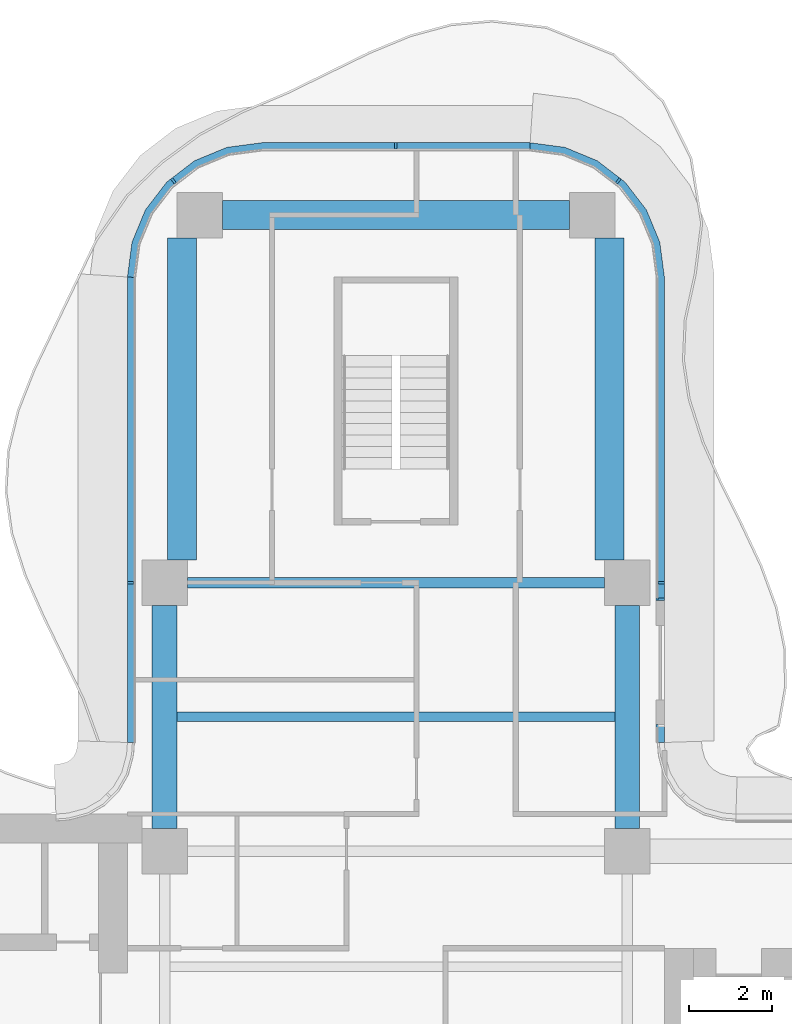
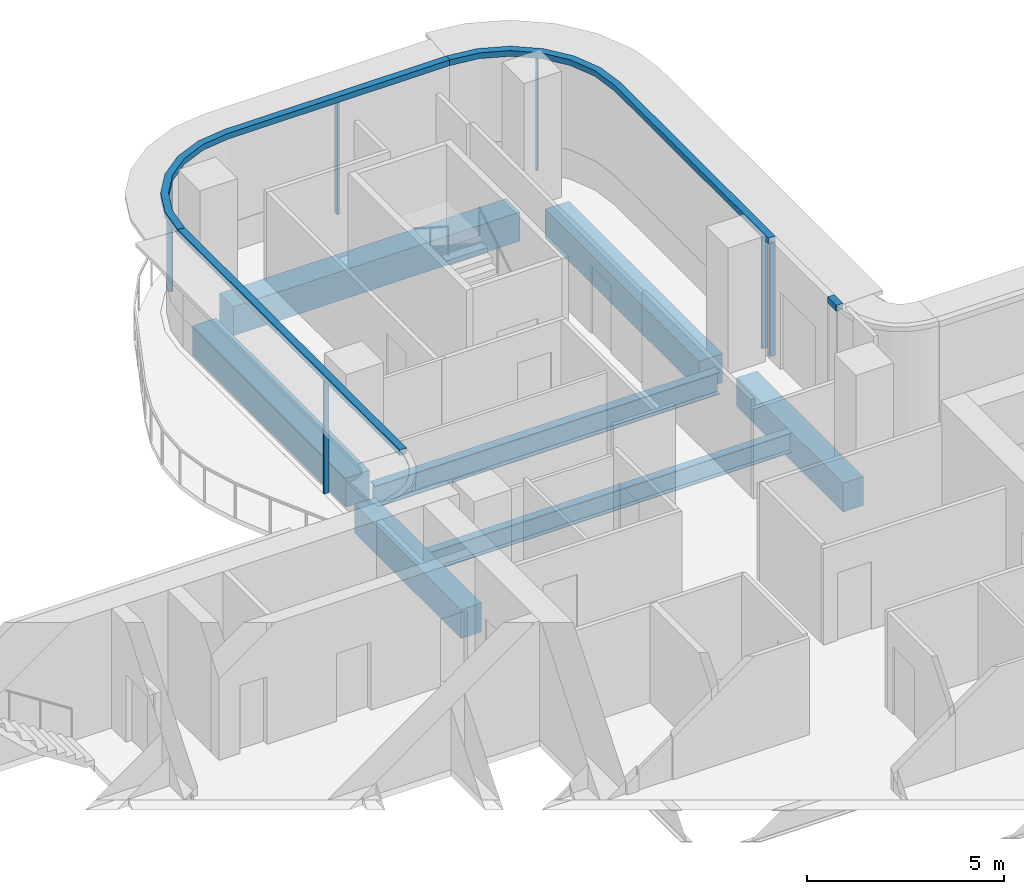
# One storey, part 7 of 17: 10 members, 7 beams, 4 elements without a shape of their own.
"""IFC4 building model written with IfcOpenShell, lengths in metres."""

from ifc_helpers import new_model, si_unit, direction, frame, origin, origin_2d, place, context, subcontext, project, spatial, polyline, rectangle, i_section, outline, extrude, source, transform, mapped, material, layer, layer_set, material_profile, profile_set, type_object, element, aggregate, save


model = new_model("IFC4")

# Units and contexts
model_context = context("Model", 3, precision=1e-05, world=origin(), true_north=direction((0.0, 1.0)))
body_context = subcontext(model_context, "Body", "Model", "MODEL_VIEW")
ifc_project = project(units=[si_unit("LENGTHUNIT", "METRE"), si_unit("AREAUNIT", "SQUARE_METRE"), si_unit("VOLUMEUNIT", "CUBIC_METRE"), si_unit("PLANEANGLEUNIT", "RADIAN"), si_unit("MASSUNIT", "GRAM", prefix="KILO")], contexts=[model_context])

# Site, building, storey
site_placement = place(None, origin())
site = spatial("IfcSite", under=ifc_project, at=site_placement, CompositionType="ELEMENT")
building_placement = place(site_placement, origin())
building = spatial("IfcBuilding", under=site, at=building_placement, Name="Trellis Farm Tower", CompositionType="ELEMENT")
storey_placement = place(building_placement, frame((0.0, 0.0, 259.699951171875)))
storey = spatial("IfcBuildingStorey", under=building, at=storey_placement, Name="L58", CompositionType="ELEMENT", Elevation=259.699951171875)

# Beams
ifc_material_1 = material(Name="Steel S355", Category="steel")
ifc_material_profile_1 = material_profile(ifc_material_1, i_section(OverallWidth=0.22900390625, OverallDepth=0.6123046875, WebThickness=0.011962890625, FlangeThickness=0.01953125, FilletRadius=0.0126953125, at=origin_2d()), Name="UB 610x229x125")
ifc_profile_set_1 = profile_set([ifc_material_profile_1], Name="Steel S355")
beam_type_1 = type_object("IfcBeamType", Name="UB 610x229x125 joist", PredefinedType="JOIST", material=ifc_profile_set_1)
shared_shape_1 = source(origin(), body_context, "Body", "SweptSolid", [
    extrude(i_section(OverallWidth=0.22900390625, OverallDepth=0.6123046875, WebThickness=0.011962890625, FlangeThickness=0.01953125, FilletRadius=0.0126953125, at=origin_2d()), origin(), (0.0, 0.0, 1.0), 10.60009765625),
])
beam_1_placement = place(storey_placement, frame((-5.300048828125, 8.85009765625, -0.506103515625), z_axis=(1.0, 0.0, 0.0), x_axis=(0.0, 1.0, 0.0)))
element("IfcBeam", 1, at=beam_1_placement, inside=storey, type_object=beam_type_1, Name="Floor beam", PredefinedType="JOIST", context=body_context, shape_type="MappedRepresentation", body=[
    mapped(shared_shape_1, transform((0.0, 0.0, 0.0))),
])
ifc_material_profile_2 = material_profile(ifc_material_1, i_section(OverallWidth=0.253662109375, OverallDepth=0.68359375, WebThickness=0.012451171875, FlangeThickness=0.021728515625, FilletRadius=0.01513671875, at=origin_2d()), Name="UB 686x254x140")
ifc_profile_set_2 = profile_set([ifc_material_profile_2], Name="Steel S355")
beam_type_2 = type_object("IfcBeamType", Name="UB 686x254x140", PredefinedType="BEAM", material=ifc_profile_set_2)
shared_shape_2 = source(origin(), body_context, "Body", "SweptSolid", [
    extrude(i_section(OverallWidth=0.253662109375, OverallDepth=0.68359375, WebThickness=0.012451171875, FlangeThickness=0.021728515625, FilletRadius=0.01513671875, at=origin_2d()), origin(), (0.0, 0.0, 1.0), 10.10009765625),
])
beam_2_placement = place(storey_placement, frame((-5.050048828125, 12.10009765625, -0.541748046875), z_axis=(1.0, 0.0, 0.0), x_axis=(0.0, 1.0, 0.0)))
element("IfcBeam", 2, at=beam_2_placement, inside=storey, type_object=beam_type_2, Name="Girder", PredefinedType="BEAM", context=body_context, shape_type="MappedRepresentation", body=[
    mapped(shared_shape_2, transform((0.0, 0.0, 0.0))),
])
ifc_material_2 = material(Name="Concrete C60/75", Category="concrete")
ifc_material_profile_3 = material_profile(ifc_material_2, rectangle(XDim=0.60009765625, YDim=0.89990234375, at=origin_2d()), Name="RC spandrel beam 600x900 C60/75")
ifc_profile_set_3 = profile_set([ifc_material_profile_3], Name="Concrete C60/75")
beam_type_3 = type_object("IfcBeamType", Name="RC spandrel beam 600x900 C60/75", PredefinedType="SPANDREL", material=ifc_profile_set_3)
shared_shape_3 = source(origin(), body_context, "Body", "SweptSolid", [
    extrude(rectangle(XDim=0.60009765625, YDim=0.89990234375, at=origin_2d()), origin(), (0.0, 0.0, 1.0), 5.400146484375),
])
for number, where, z_axis, x_axis, name in (
    (3, (-5.60009765625, 6.14990234375, -0.64990234375), (0.0, 1.0, 0.0), (-1.0, 0.0, 0.0), "Girder"),
    (4, (5.60009765625, 6.14990234375, -0.64990234375), (0.0, 1.0, 0.0), (-1.0, 0.0, 0.0), "Girder"),
):
    element("IfcBeam", number, at=place(storey_placement, frame(where, z_axis=z_axis, x_axis=x_axis)), inside=storey, type_object=beam_type_3, Name=name, PredefinedType="SPANDREL", context=body_context, shape_type="MappedRepresentation", body=[
        mapped(shared_shape_3, transform((0.0, 0.0, 0.0))),
    ])
ifc_material_profile_4 = material_profile(ifc_material_2, rectangle(XDim=0.699951171875, YDim=0.89990234375, at=origin_2d()), Name="RC spandrel beam 700x900 C60/75")
ifc_profile_set_4 = profile_set([ifc_material_profile_4], Name="Concrete C60/75")
beam_type_4 = type_object("IfcBeamType", Name="RC spandrel beam 700x900 C60/75", PredefinedType="SPANDREL", material=ifc_profile_set_4)
shared_shape_4 = source(origin(), body_context, "Body", "SweptSolid", [
    extrude(rectangle(XDim=0.699951171875, YDim=0.89990234375, at=origin_2d()), origin(), (0.0, 0.0, 1.0), 8.39990234375),
])
beam_3_placement = place(storey_placement, frame((-4.199951171875, 21.0, -0.64990234375), z_axis=(1.0, 0.0, 0.0), x_axis=(0.0, 1.0, 0.0)))
element("IfcBeam", 5, at=beam_3_placement, inside=storey, type_object=beam_type_4, Name="Girder", PredefinedType="SPANDREL", context=body_context, shape_type="MappedRepresentation", body=[
    mapped(shared_shape_4, transform((0.0, 0.0, 0.0))),
])
shared_shape_5 = source(origin(), body_context, "Body", "SweptSolid", [
    extrude(rectangle(XDim=0.699951171875, YDim=0.89990234375, at=origin_2d()), origin(), (0.0, 0.0, 1.0), 7.800048828125),
])
for number, where, z_axis, x_axis, name in (
    (6, (-5.175048828125, 12.64990234375, -0.64990234375), (0.0, 1.0, 0.0), (-1.0, 0.0, 0.0), "Girder"),
    (7, (5.175048828125, 12.64990234375, -0.64990234375), (0.0, 1.0, 0.0), (-1.0, 0.0, 0.0), "Girder"),
):
    element("IfcBeam", number, at=place(storey_placement, frame(where, z_axis=z_axis, x_axis=x_axis)), inside=storey, type_object=beam_type_4, Name=name, PredefinedType="SPANDREL", context=body_context, shape_type="MappedRepresentation", body=[
        mapped(shared_shape_5, transform((0.0, 0.0, 0.0))),
    ])

# Curtain wall, members
ifc_material_3 = material(Name="Aluminium and glass curtain wall", Category="aluminium")
ifc_layer_1 = layer(ifc_material_3, 0.18994140625)
ifc_layer_set_1 = layer_set([ifc_layer_1], Name="RIBBON CURTAIN WALL CW1")
curtain_wall_type = type_object("IfcCurtainWallType", Name="RIBBON CURTAIN WALL CW1", PredefinedType="NOTDEFINED", material=ifc_layer_set_1)
placement_1 = place(storey_placement, origin())
curtain_wall_1 = element("IfcCurtainWall", 8, at=placement_1, inside=storey, type_object=curtain_wall_type, Name="CW1 009", PredefinedType="NOTDEFINED")
ifc_material_4 = material(Name="Aluminium extrusion 6063-T6", Category="aluminium")
ifc_material_profile_5 = material_profile(ifc_material_4, rectangle(XDim=0.06005859375, YDim=0.14990234375, at=origin_2d()), Name="MULLION 60x150")
ifc_profile_set_5 = profile_set([ifc_material_profile_5], Name="Aluminium extrusion 6063-T6")
member_type_1 = type_object("IfcMemberType", Name="CW1 MULLION 60x150", PredefinedType="MULLION", material=ifc_profile_set_5)
shared_shape_6 = source(origin(), body_context, "Body", "SweptSolid", [
    extrude(rectangle(XDim=0.06005859375, YDim=0.14990234375, at=origin_2d()), origin(), (0.0, 0.0, 1.0), 3.52001953125),
])
member_1_placement = place(storey_placement, frame((6.425048828125, 11.69580078125, 0.0), z_axis=(0.0, 0.0, 1.0), x_axis=(0.0, 1.0, 0.0)))
member_1 = element("IfcMember", 9, at=member_1_placement, type_object=member_type_1, Name="MU1 009-01", PredefinedType="MULLION", context=body_context, shape_type="MappedRepresentation", body=[
    mapped(shared_shape_6, transform((0.0, 0.0, 0.0))),
])
member_2_placement = place(storey_placement, frame((6.425048828125, 12.10009765625, 0.0), z_axis=(0.0, 0.0, 1.0), x_axis=(0.0, 1.0, 0.0)))
member_2 = element("IfcMember", 10, at=member_2_placement, type_object=member_type_1, Name="MU1 009-02", PredefinedType="MULLION", context=body_context, shape_type="MappedRepresentation", body=[
    mapped(shared_shape_6, transform((0.0, 0.0, 0.0))),
])
member_3_placement = place(storey_placement, frame((5.385498046875, 21.828369140625, 0.0), z_axis=(0.0, 0.0, 1.0), x_axis=(-0.793353340291, 0.608761429009, 0.0)))
member_3 = element("IfcMember", 11, at=member_3_placement, type_object=member_type_1, Name="MU1 009-03", PredefinedType="MULLION", context=body_context, shape_type="MappedRepresentation", body=[
    mapped(shared_shape_6, transform((0.0, 0.0, 0.0))),
])

curtain_wall_2 = element("IfcCurtainWall", 12, at=placement_1, inside=storey, type_object=curtain_wall_type, Name="CW1 010", PredefinedType="NOTDEFINED")
member_4_placement = place(storey_placement, frame((0.0, 22.675048828125, 0.0), z_axis=(0.0, 0.0, 1.0), x_axis=(-1.0, 0.0, 0.0)))
member_4 = element("IfcMember", 13, at=member_4_placement, type_object=member_type_1, Name="MU1 010-01", PredefinedType="MULLION", context=body_context, shape_type="MappedRepresentation", body=[
    mapped(shared_shape_6, transform((0.0, 0.0, 0.0))),
])
member_5_placement = place(storey_placement, frame((-5.385498046875, 21.828369140625, 0.0), z_axis=(0.0, 0.0, 1.0), x_axis=(-0.793353340291, -0.608761429009, 0.0)))
member_5 = element("IfcMember", 14, at=member_5_placement, type_object=member_type_1, Name="MU1 010-02", PredefinedType="MULLION", context=body_context, shape_type="MappedRepresentation", body=[
    mapped(shared_shape_6, transform((0.0, 0.0, 0.0))),
])

# Curtain wall, member
curtain_wall_3 = element("IfcCurtainWall", 15, at=placement_1, inside=storey, type_object=curtain_wall_type, Name="CW1 011", PredefinedType="NOTDEFINED")
member_6_placement = place(storey_placement, frame((-6.425048828125, 12.10009765625, 0.0), z_axis=(0.0, 0.0, 1.0), x_axis=(0.0, -1.0, 0.0)))
member_6 = element("IfcMember", 16, at=member_6_placement, type_object=member_type_1, Name="MU1 011-01", PredefinedType="MULLION", context=body_context, shape_type="MappedRepresentation", body=[
    mapped(shared_shape_6, transform((0.0, 0.0, 0.0))),
])

# Member
ifc_layer_2 = layer(ifc_material_4, 0.199951171875)
ifc_layer_set_2 = layer_set([ifc_layer_2], Name="Aluminium extrusion 6063-T6")
member_type_2 = type_object("IfcMemberType", Name="CW1 TRANSOM 200x180", PredefinedType="USERDEFINED", material=ifc_layer_set_2)
shared_shape_7 = source(origin(), body_context, "Body", "SweptSolid", [
    extrude(outline(polyline([(3.25, 22.75), (-3.25, 22.75), (-4.091064453125, 22.63916015625), (-4.875, 22.314697265625), (-5.548095703125, 21.798095703125), (-6.064697265625, 21.125), (-6.38916015625, 20.341064453125), (-6.5, 19.5), (-6.300048828125, 19.48681640625), (-6.1943359375, 20.2890625), (-5.889892578125, 21.024169921875), (-5.405517578125, 21.655517578125), (-4.774169921875, 22.139892578125), (-4.0390625, 22.4443359375), (-3.23681640625, 22.550048828125), (3.23681640625, 22.550048828125), (3.25, 22.75)])), origin(), (0.0, 0.0, 1.0), 0.179931640625),
])
placement_2 = place(storey_placement, frame((0.0, 0.0, 3.52001953125)))
member_7 = element("IfcMember", 17, at=placement_2, type_object=member_type_2, Name="TR1 010", ObjectType="TRANSOM", PredefinedType="USERDEFINED", context=body_context, shape_type="MappedRepresentation", body=[
    mapped(shared_shape_7, transform((0.0, 0.0, 0.0))),
])

aggregate(curtain_wall_2, [member_4, member_5, member_7])

shared_shape_8 = source(origin(), body_context, "Body", "SweptSolid", [
    extrude(outline(polyline([(-6.5, 19.5), (-6.5, 8.2314453125), (-6.300048828125, 8.224853515625), (-6.300048828125, 19.48681640625), (-6.5, 19.5)])), origin(), (0.0, 0.0, 1.0), 0.179931640625),
])
member_8 = element("IfcMember", 18, at=placement_2, type_object=member_type_2, Name="TR1 011", ObjectType="TRANSOM", PredefinedType="USERDEFINED", context=body_context, shape_type="MappedRepresentation", body=[
    mapped(shared_shape_8, transform((0.0, 0.0, 0.0))),
])

aggregate(curtain_wall_3, [member_6, member_8])

# Curtain wall, member
curtain_wall_4 = element("IfcCurtainWall", 19, at=placement_1, inside=storey, type_object=curtain_wall_type, Name="CW1 008", PredefinedType="NOTDEFINED")
shared_shape_9 = source(origin(), body_context, "Body", "SweptSolid", [
    extrude(outline(polyline([(6.5, 8.2314453125), (6.5, 8.665771484375), (6.300048828125, 8.665771484375), (6.300048828125, 8.224853515625), (6.5, 8.2314453125)])), origin(), (0.0, 0.0, 1.0), 0.179931640625),
])
member_9 = element("IfcMember", 20, at=placement_2, type_object=member_type_2, Name="TR1 008", ObjectType="TRANSOM", PredefinedType="USERDEFINED", context=body_context, shape_type="MappedRepresentation", body=[
    mapped(shared_shape_9, transform((0.0, 0.0, 0.0))),
])
aggregate(curtain_wall_4, [member_9])

# Member
shared_shape_10 = source(origin(), body_context, "Body", "SweptSolid", [
    extrude(outline(polyline([(6.5, 11.665771484375), (6.5, 19.5), (6.38916015625, 20.341064453125), (6.064697265625, 21.125), (5.548095703125, 21.798095703125), (4.875, 22.314697265625), (4.091064453125, 22.63916015625), (3.25, 22.75), (3.23681640625, 22.550048828125), (4.0390625, 22.4443359375), (4.774169921875, 22.139892578125), (5.405517578125, 21.655517578125), (5.889892578125, 21.024169921875), (6.1943359375, 20.2890625), (6.300048828125, 19.48681640625), (6.300048828125, 11.665771484375), (6.5, 11.665771484375)])), origin(), (0.0, 0.0, 1.0), 0.179931640625),
])
member_10 = element("IfcMember", 21, at=placement_2, type_object=member_type_2, Name="TR1 009", ObjectType="TRANSOM", PredefinedType="USERDEFINED", context=body_context, shape_type="MappedRepresentation", body=[
    mapped(shared_shape_10, transform((0.0, 0.0, 0.0))),
])

aggregate(curtain_wall_1, [member_1, member_2, member_3, member_10])

save(model, "model.ifc")
